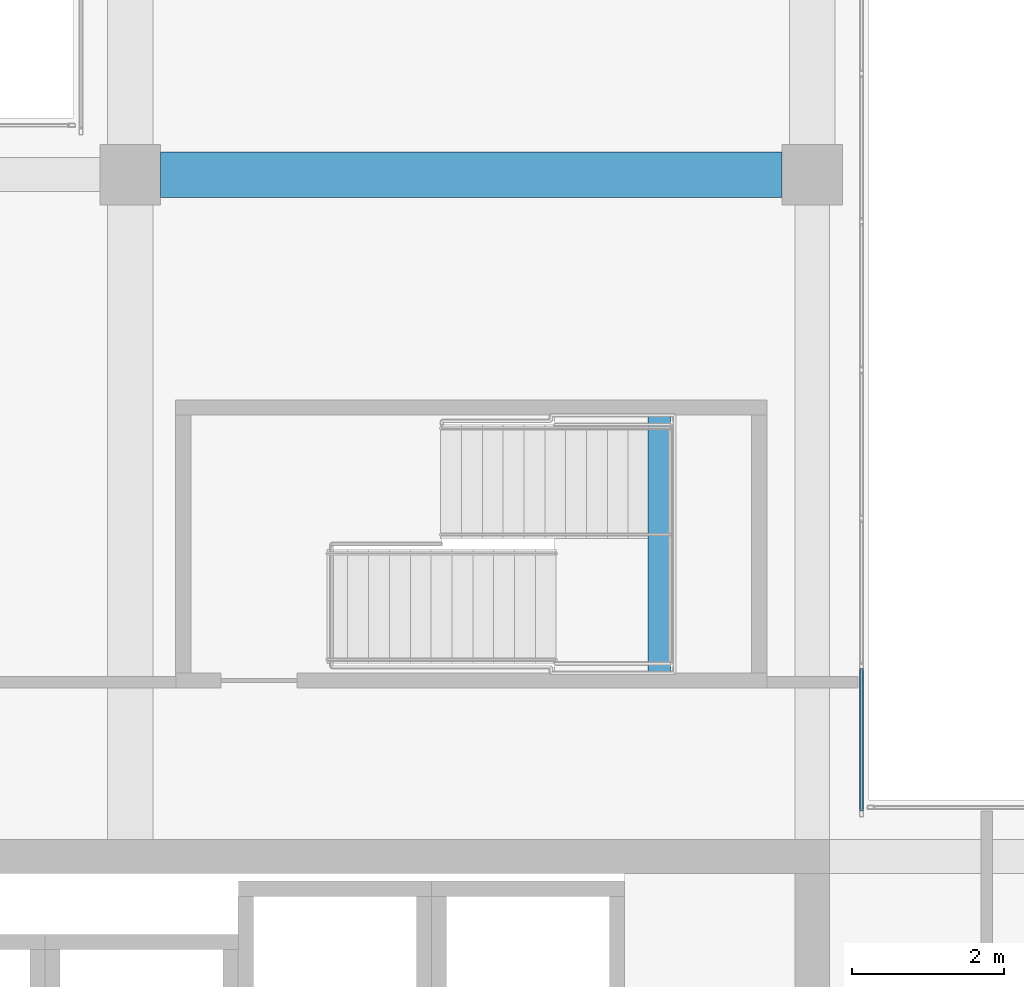
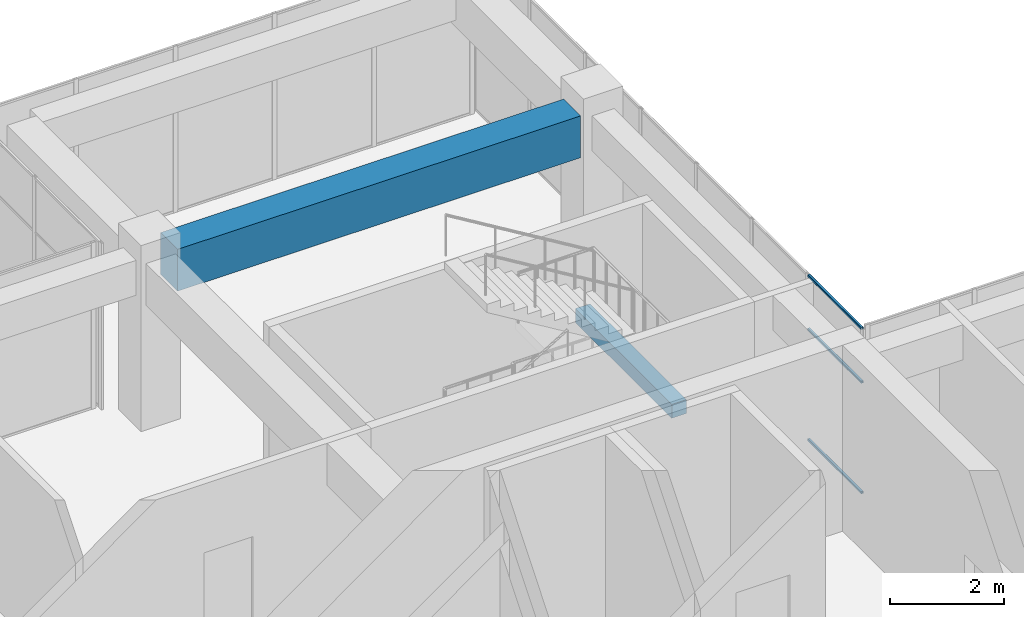
# One storey, part 35 of 52: 3 members, 2 beams, 1 element without a shape of its own.
"""IFC4 building model written with IfcOpenShell, lengths in metres."""

from ifc_helpers import new_model, si_unit, direction, frame, origin, origin_2d, place, context, subcontext, project, spatial, rectangle, hollow_rectangle, extrude, material, layer, layer_set, material_profile, profile_set, type_object, element, aggregate, save


model = new_model("IFC4")

# Units and contexts
model_context = context("Model", 3, precision=1e-05, world=origin(), true_north=direction((0.0, 1.0)))
body_context = subcontext(model_context, "Body", "Model", "MODEL_VIEW")
ifc_project = project(units=[si_unit("LENGTHUNIT", "METRE"), si_unit("AREAUNIT", "SQUARE_METRE"), si_unit("VOLUMEUNIT", "CUBIC_METRE"), si_unit("PLANEANGLEUNIT", "RADIAN"), si_unit("MASSUNIT", "GRAM", prefix="KILO")], contexts=[model_context])

# Site, building, storey
site_placement = place(None, origin())
site = spatial("IfcSite", under=ifc_project, at=site_placement, CompositionType="ELEMENT")
building_placement = place(site_placement, origin())
building = spatial("IfcBuilding", under=site, at=building_placement, Name="Tuart Plaza Theatre", CompositionType="ELEMENT")
storey_placement = place(building_placement, frame((0.0, 0.0, 25.5)))
storey = spatial("IfcBuildingStorey", under=building, at=storey_placement, Name="L06", CompositionType="ELEMENT", Elevation=25.5)

# Beams
ifc_material_1 = material(Name="Concrete N40 (40 MPa)", Category="concrete")
ifc_material_profile_1 = material_profile(ifc_material_1, rectangle(XDim=0.300048828125, YDim=0.300048828125, at=origin_2d()), Name="BEAM 300x300 Concrete N40 (40 MPa)")
ifc_profile_set_1 = profile_set([ifc_material_profile_1], Name="Concrete N40 (40 MPa)")
beam_type_1 = type_object("IfcBeamType", Name="BEAM 300x300 Concrete N40 (40 MPa)", PredefinedType="BEAM", material=ifc_profile_set_1)
beam_1_placement = place(storey_placement, frame((138.97998046875, 85.425048828125, 1.64990234375), z_axis=(0.0, 1.0, 0.0), x_axis=(-1.0, 0.0, 0.0)))
element("IfcBeam", 1, at=beam_1_placement, inside=storey, type_object=beam_type_1, Name="RB518", PredefinedType="BEAM", context=body_context, shape_type="SweptSolid", body=[
    extrude(rectangle(XDim=0.300048828125, YDim=0.300048828125, at=origin_2d()), origin(), (0.0, 0.0, 1.0), 3.39990234375),
])
ifc_material_2 = material(Name="Concrete N40 (40 MPa)", Category="concrete")
ifc_material_profile_2 = material_profile(ifc_material_2, rectangle(XDim=0.60009765625, YDim=0.89990234375, at=origin_2d()), Name="BEAM 600x900 Concrete N40 (40 MPa)")
ifc_profile_set_2 = profile_set([ifc_material_profile_2], Name="Concrete N40 (40 MPa)")
beam_type_2 = type_object("IfcBeamType", Name="BEAM 600x900 Concrete N40 (40 MPa)", PredefinedType="BEAM", material=ifc_profile_set_2)
beam_2_placement = place(storey_placement, frame((132.39990234375, 92.0, 3.1298828125), z_axis=(1.0, 0.0, 0.0), x_axis=(0.0, 1.0, 0.0)))
element("IfcBeam", 2, at=beam_2_placement, inside=storey, type_object=beam_type_2, Name="RB226", PredefinedType="BEAM", context=body_context, shape_type="SweptSolid", body=[
    extrude(rectangle(XDim=0.60009765625, YDim=0.89990234375, at=origin_2d()), origin(), (0.0, 0.0, 1.0), 8.2001953125),
])

# Curtain wall, members
ifc_material_3 = material(Name="Aluminium and glass", Category="aluminium")
ifc_layer = layer(ifc_material_3, 0.10009765625)
ifc_layer_set = layer_set([ifc_layer], Name="CURTAIN WALL 2000 module")
curtain_wall_type = type_object("IfcCurtainWallType", Name="CURTAIN WALL 2000 module", PredefinedType="NOTDEFINED", material=ifc_layer_set)
curtain_wall_placement = place(storey_placement, origin())
curtain_wall = element("IfcCurtainWall", 3, at=curtain_wall_placement, inside=storey, type_object=curtain_wall_type, Name="CW81", PredefinedType="NOTDEFINED")
ifc_material_4 = material(Name="Aluminium 6063-T5", Category="aluminium")
ifc_material_profile_3 = material_profile(ifc_material_4, hollow_rectangle(XDim=0.050048828125, YDim=0.050048828125, WallThickness=0.00390625, InnerFilletRadius=0.00390625, OuterFilletRadius=0.008056640625, at=origin_2d()), Name="RHS 50x50x4")
ifc_profile_set_3 = profile_set([ifc_material_profile_3], Name="Aluminium 6063-T5")
member_type = type_object("IfcMemberType", Name="TRANSOM RHS 50x50x4", PredefinedType="USERDEFINED", material=ifc_profile_set_3)
member_1_placement = place(storey_placement, frame((141.64990234375, 83.60009765625, 0.02490234375), z_axis=(0.0, 1.0, 0.0), x_axis=(-1.0, 0.0, 0.0)))
member_1 = element("IfcMember", 4, at=member_1_placement, type_object=member_type, Name="CW81 transom 1.1", ObjectType="TRANSOM", PredefinedType="USERDEFINED", context=body_context, shape_type="SweptSolid", body=[
    extrude(hollow_rectangle(XDim=0.050048828125, YDim=0.050048828125, WallThickness=0.00390625, InnerFilletRadius=0.00390625, OuterFilletRadius=0.008056640625, at=origin_2d()), origin(), (0.0, 0.0, 1.0), 1.882080078125),
])
member_2_placement = place(storey_placement, frame((141.64990234375, 83.60009765625, 2.39990234375), z_axis=(0.0, 1.0, 0.0), x_axis=(-1.0, 0.0, 0.0)))
member_2 = element("IfcMember", 5, at=member_2_placement, type_object=member_type, Name="CW81 transom 1.2", ObjectType="TRANSOM", PredefinedType="USERDEFINED", context=body_context, shape_type="SweptSolid", body=[
    extrude(hollow_rectangle(XDim=0.050048828125, YDim=0.050048828125, WallThickness=0.00390625, InnerFilletRadius=0.00390625, OuterFilletRadius=0.008056640625, at=origin_2d()), origin(), (0.0, 0.0, 1.0), 1.882080078125),
])
member_3_placement = place(storey_placement, frame((141.64990234375, 83.60009765625, 3.554931640625), z_axis=(0.0, 1.0, 0.0), x_axis=(-1.0, 0.0, 0.0)))
member_3 = element("IfcMember", 6, at=member_3_placement, type_object=member_type, Name="CW81 transom 1.3", ObjectType="TRANSOM", PredefinedType="USERDEFINED", context=body_context, shape_type="SweptSolid", body=[
    extrude(hollow_rectangle(XDim=0.050048828125, YDim=0.050048828125, WallThickness=0.00390625, InnerFilletRadius=0.00390625, OuterFilletRadius=0.008056640625, at=origin_2d()), origin(), (0.0, 0.0, 1.0), 1.882080078125),
])
aggregate(curtain_wall, [member_1, member_2, member_3])

save(model, "model.ifc")
